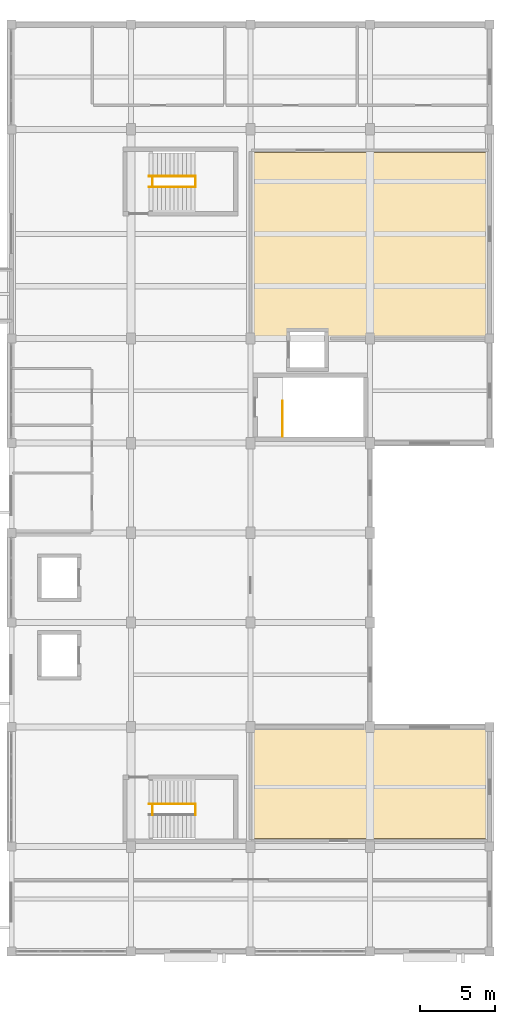
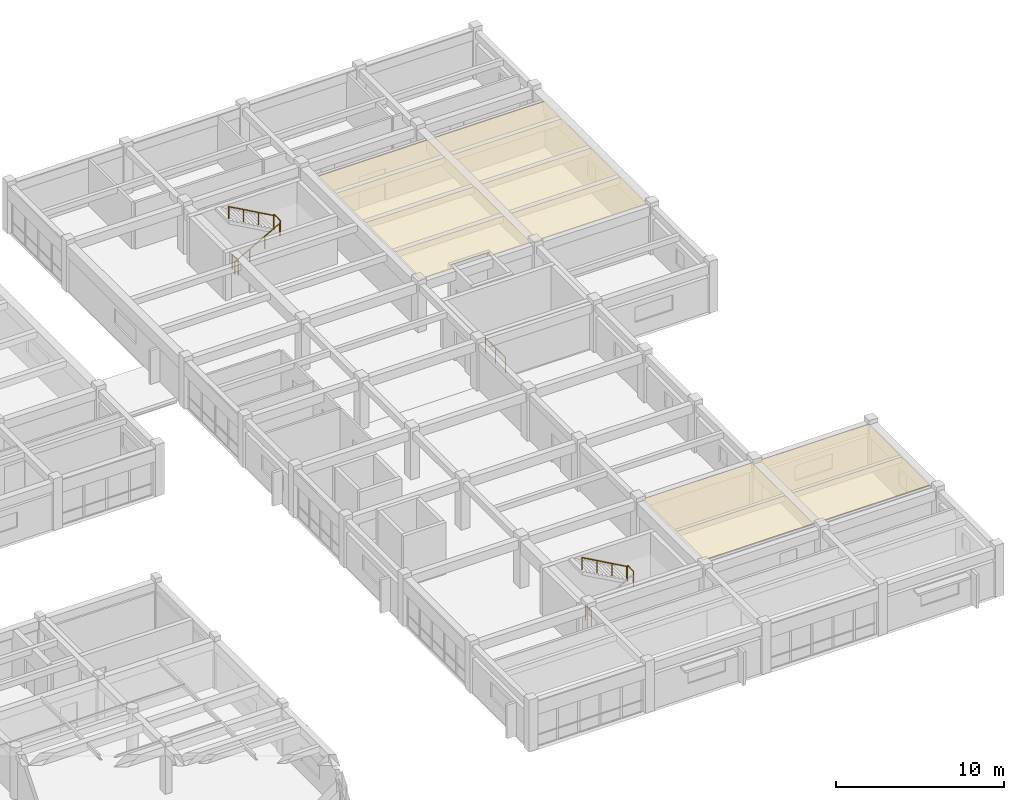
# One storey, part 33 of 33: 8 railings, 2 coverings.
"""IFC4 building model written with IfcOpenShell, lengths in metres."""

from ifc_helpers import new_model, si_unit, direction, frame, origin, origin_2d, place, context, subcontext, project, spatial, polyline, circle, outline, extrude, material, layer, layer_set, type_object, element, save


model = new_model("IFC4")

# Units and contexts
model_context = context("Model", 3, precision=1e-05, world=origin(), true_north=direction((0.0, 1.0)))
body_context = subcontext(model_context, "Body", "Model", "MODEL_VIEW")
ifc_project = project(units=[si_unit("LENGTHUNIT", "METRE"), si_unit("AREAUNIT", "SQUARE_METRE"), si_unit("VOLUMEUNIT", "CUBIC_METRE"), si_unit("PLANEANGLEUNIT", "RADIAN"), si_unit("MASSUNIT", "GRAM", prefix="KILO")], contexts=[model_context])

# Site, building, storey
site_placement = place(None, origin())
site = spatial("IfcSite", under=ifc_project, at=site_placement, CompositionType="ELEMENT")
building_placement = place(site_placement, origin())
building = spatial("IfcBuilding", under=site, at=building_placement, Name="Naurynzar Civic Courthouse", CompositionType="ELEMENT")
storey_placement = place(building_placement, frame((0.0, 0.0, 22.050048828125)))
storey = spatial("IfcBuildingStorey", under=building, at=storey_placement, Name="L06", CompositionType="ELEMENT", Elevation=22.050048828125)

# Coverings
ifc_material_1 = material(Name="Acoustic Oak Timber Grade A", Category="wood")
ifc_layer_1 = layer(ifc_material_1, 0.044921875)
ifc_layer_set_1 = layer_set([ifc_layer_1], Name="CEIL-ACOUSTIC-OAK-45")
covering_type_1 = type_object("IfcCoveringType", Name="CEIL-ACOUSTIC-OAK-45", PredefinedType="CEILING", material=ifc_layer_set_1)
covering_1_placement = place(storey_placement, frame((0.0, 0.0, 3.364990234375)))
element("IfcCovering", 1, at=covering_1_placement, inside=storey, type_object=covering_type_1, Name="Acoustic suspended ceiling Criminal Courtroom L06-N", PredefinedType="CEILING", context=body_context, shape_type="SweptSolid", body=[
    extrude(outline(polyline([(151.070068359375, 51.159912109375), (151.070068359375, 51.570068359375), (148.530029296875, 51.570068359375), (148.530029296875, 51.159912109375), (146.159912109375, 51.159912109375), (146.159912109375, 63.43994140625), (161.840087890625, 63.43994140625), (161.840087890625, 51.159912109375), (151.070068359375, 51.159912109375)])), origin(), (0.0, 0.0, 1.0), 0.044921875),
])
ifc_material_2 = material(Name="Mineral Fibre Acoustic Ceiling")
ifc_layer_2 = layer(ifc_material_2, 0.030029296875)
ifc_layer_set_2 = layer_set([ifc_layer_2], Name="CEIL-MINERAL-30")
covering_type_2 = type_object("IfcCoveringType", Name="CEIL-MINERAL-30", PredefinedType="CEILING", material=ifc_layer_set_2)
covering_2_placement = place(storey_placement, frame((0.0, 0.0, 3.364990234375)))
element("IfcCovering", 2, at=covering_2_placement, inside=storey, type_object=covering_type_2, Name="Acoustic suspended ceiling Jury Room L06-V5", PredefinedType="CEILING", context=body_context, shape_type="SweptSolid", body=[
    extrude(outline(polyline([(146.159912109375, 17.56005859375), (146.159912109375, 24.840087890625), (161.840087890625, 24.840087890625), (161.840087890625, 17.56005859375), (146.159912109375, 17.56005859375)])), origin(), (0.0, 0.0, 1.0), 0.030029296875),
])

# Railings
ifc_material_3 = material(Name="Brushed Stainless Steel 304", Category="steel")
railing_type_1 = type_object("IfcRailingType", Name="RAIL-BAL-1100", PredefinedType="BALUSTRADE", material=ifc_material_3)
for number, where, name in (
    (3, (139.43994140625, 19.139892578125, 0.0), "Stair ST-V5A floor well slot guard L06"),
    (4, (142.320068359375, 19.139892578125, 1.875), "Stair ST-V5A-L06 half-landing well guard"),
    (5, (139.43994140625, 61.139892578125, 0.0), "Stair ST-V5B floor well slot guard L06"),
    (6, (142.320068359375, 61.139892578125, 1.875), "Stair ST-V5B-L06 half-landing well guard"),
):
    element("IfcRailing", number, at=place(storey_placement, frame(where)), inside=storey, type_object=railing_type_1, Name=name, PredefinedType="BALUSTRADE", context=body_context, shape_type="SweptSolid", body=[
        extrude(circle(Radius=0.02392578125, at=origin_2d()), frame((0.0, 0.0, 1.09619140625), z_axis=(0.0, 1.0, 0.0), x_axis=(-1.0, 0.0, 0.0)), (0.0, 0.0, 1.0), 0.72021484375),
        extrude(circle(Radius=0.02099609375, at=origin_2d()), origin(), (0.0, 0.0, 1.0), 1.072021484375),
        extrude(circle(Radius=0.02099609375, at=origin_2d()), frame((0.0, 0.72021484375, 0.0)), (0.0, 0.0, 1.0), 1.072021484375),
    ])
railing_1_placement = place(storey_placement, frame((148.139892578125, 44.449951171875, 0.0)))
element("IfcRailing", 7, at=railing_1_placement, inside=storey, type_object=railing_type_1, Name="Stair ST-CUS top floor well guard L06", PredefinedType="BALUSTRADE", context=body_context, shape_type="SweptSolid", body=[
    extrude(circle(Radius=0.02392578125, at=origin_2d()), frame((0.0, 0.0, 1.09619140625), z_axis=(0.0, 1.0, 0.0), x_axis=(-1.0, 0.0, 0.0)), (0.0, 0.0, 1.0), 2.360107421875),
    extrude(circle(Radius=0.02099609375, at=origin_2d()), origin(), (0.0, 0.0, 1.0), 1.072021484375),
    extrude(circle(Radius=0.02099609375, at=origin_2d()), frame((0.0, 1.18017578125, 0.0)), (0.0, 0.0, 1.0), 1.072021484375),
    extrude(circle(Radius=0.02099609375, at=origin_2d()), frame((0.0, 2.360107421875, 0.0)), (0.0, 0.0, 1.0), 1.072021484375),
])
ifc_material_4 = material(Name="Brushed Stainless Steel 304", Category="steel")
railing_type_2 = type_object("IfcRailingType", Name="RAIL-HR-900", PredefinedType="HANDRAIL", material=ifc_material_4)
railing_2_placement = place(storey_placement, frame((142.280029296875, 19.860107421875, 2.03125)))
element("IfcRailing", 8, at=railing_2_placement, inside=storey, type_object=railing_type_2, Name="Stair ST-V5A-L06 flight 2 handrail", PredefinedType="HANDRAIL", context=body_context, shape_type="SweptSolid", body=[
    extrude(circle(Radius=0.02392578125, at=origin_2d()), frame((0.0, 0.0, 0.8759765625), z_axis=(-0.873241540666, 0.0, 0.487287606713), x_axis=(0.0, -1.0, 0.0)), (0.0, 0.0, 1.0), 3.527099609375),
    extrude(circle(Radius=0.02099609375, at=origin_2d()), origin(), (0.0, 0.0, 1.0), 0.851806640625),
    extrude(circle(Radius=0.02099609375, at=origin_2d()), frame((-1.026611328125, 0.0, 0.572998046875)), (0.0, 0.0, 1.0), 0.851806640625),
    extrude(circle(Radius=0.02099609375, at=origin_2d()), frame((-2.053466796875, 0.0, 1.145751953125)), (0.0, 0.0, 1.0), 0.851806640625),
    extrude(circle(Radius=0.02099609375, at=origin_2d()), frame((-3.080078125, 0.0, 1.71875)), (0.0, 0.0, 1.0), 0.851806640625),
])
railing_3_placement = place(storey_placement, frame((139.199951171875, 61.139892578125, 0.15625)))
element("IfcRailing", 9, at=railing_3_placement, inside=storey, type_object=railing_type_2, Name="Stair ST-V5B-L06 flight 1 handrail", PredefinedType="HANDRAIL", context=body_context, shape_type="SweptSolid", body=[
    extrude(circle(Radius=0.02392578125, at=origin_2d()), frame((0.0, 0.0, 0.8759765625), z_axis=(0.873241540666, 0.0, 0.487287606713), x_axis=(0.0, 1.0, 0.0)), (0.0, 0.0, 1.0), 3.527099609375),
    extrude(circle(Radius=0.02099609375, at=origin_2d()), origin(), (0.0, 0.0, 1.0), 0.851806640625),
    extrude(circle(Radius=0.02099609375, at=origin_2d()), frame((1.026611328125, 0.0, 0.572998046875)), (0.0, 0.0, 1.0), 0.851806640625),
    extrude(circle(Radius=0.02099609375, at=origin_2d()), frame((2.053466796875, 0.0, 1.145751953125)), (0.0, 0.0, 1.0), 0.851806640625),
    extrude(circle(Radius=0.02099609375, at=origin_2d()), frame((3.080078125, 0.0, 1.71875)), (0.0, 0.0, 1.0), 0.851806640625),
])
railing_4_placement = place(storey_placement, frame((142.280029296875, 61.860107421875, 2.03125)))
element("IfcRailing", 10, at=railing_4_placement, inside=storey, type_object=railing_type_2, Name="Stair ST-V5B-L06 flight 2 handrail", PredefinedType="HANDRAIL", context=body_context, shape_type="SweptSolid", body=[
    extrude(circle(Radius=0.02392578125, at=origin_2d()), frame((0.0, 0.0, 0.8759765625), z_axis=(-0.873241540666, 0.0, 0.487287606713), x_axis=(0.0, -1.0, 0.0)), (0.0, 0.0, 1.0), 3.527099609375),
    extrude(circle(Radius=0.02099609375, at=origin_2d()), origin(), (0.0, 0.0, 1.0), 0.851806640625),
    extrude(circle(Radius=0.02099609375, at=origin_2d()), frame((-1.026611328125, 0.0, 0.572998046875)), (0.0, 0.0, 1.0), 0.851806640625),
    extrude(circle(Radius=0.02099609375, at=origin_2d()), frame((-2.053466796875, 0.0, 1.145751953125)), (0.0, 0.0, 1.0), 0.851806640625),
    extrude(circle(Radius=0.02099609375, at=origin_2d()), frame((-3.080078125, 0.0, 1.71875)), (0.0, 0.0, 1.0), 0.851806640625),
])

save(model, "model.ifc")
